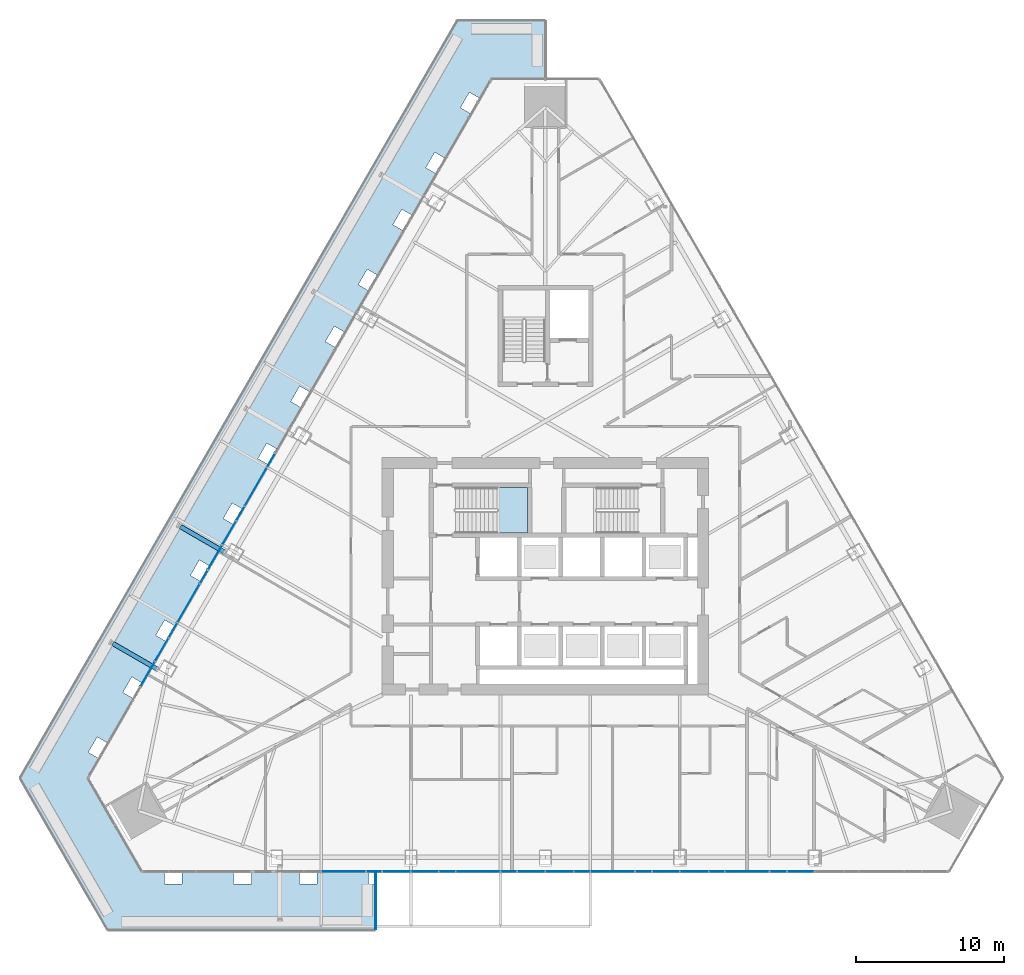
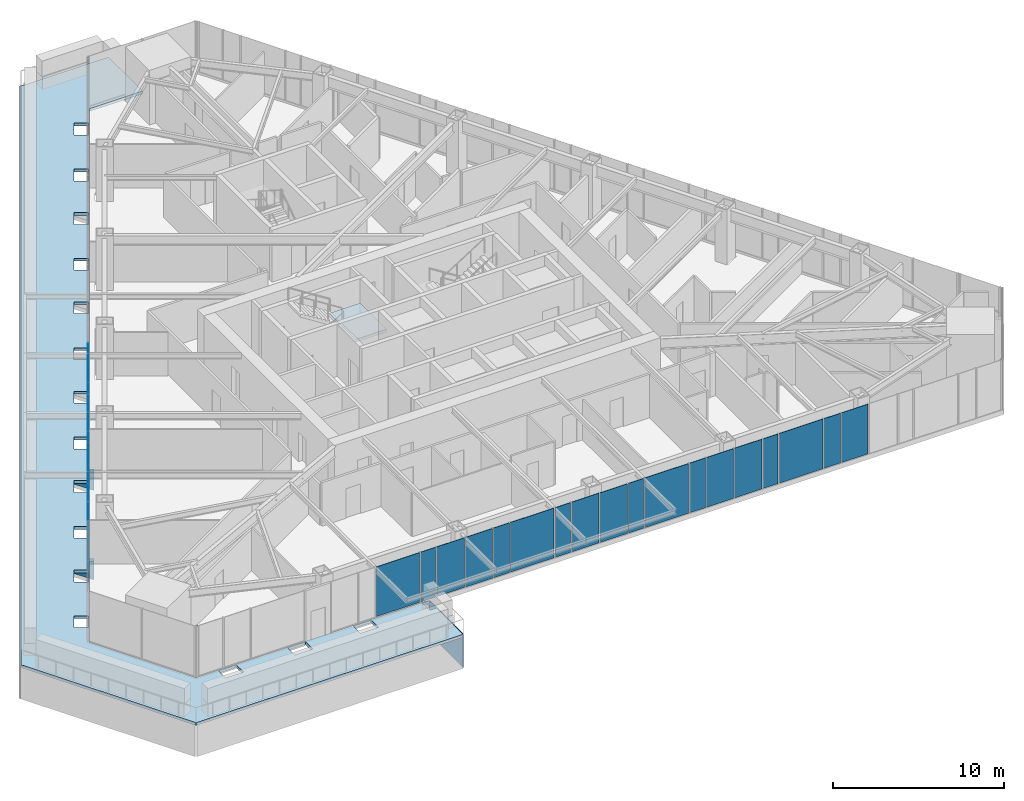
# One storey, part 17 of 35: 31 plates, 2 slabs, 3 elements without a shape of their own.
"""IFC4 building model written with IfcOpenShell, lengths in metres."""

from ifc_helpers import new_model, si_unit, direction, frame, origin, place, context, subcontext, project, spatial, polyline, outline, extrude, material, layer, layer_set, type_object, element, aggregate, save


model = new_model("IFC4")

# Units and contexts
model_context = context("Model", 3, precision=1e-05, world=origin(), true_north=direction((0.0, 1.0)))
body_context = subcontext(model_context, "Body", "Model", "MODEL_VIEW")
ifc_project = project(units=[si_unit("LENGTHUNIT", "METRE"), si_unit("AREAUNIT", "SQUARE_METRE"), si_unit("VOLUMEUNIT", "CUBIC_METRE"), si_unit("PLANEANGLEUNIT", "RADIAN"), si_unit("MASSUNIT", "GRAM", prefix="KILO")], contexts=[model_context])

# Site, building, storey
site_placement = place(None, origin())
site = spatial("IfcSite", under=ifc_project, at=site_placement, CompositionType="ELEMENT")
building_placement = place(site_placement, origin())
building = spatial("IfcBuilding", under=site, at=building_placement, Name="Firuza Gate Tower and Library", CompositionType="ELEMENT")
storey_placement = place(building_placement, frame((0.0, 0.0, 159.699951171875)))
storey = spatial("IfcBuildingStorey", under=building, at=storey_placement, Name="L36", CompositionType="ELEMENT", Elevation=159.699951171875)

# Curtain wall, plates
ifc_material_1 = material(Name="Aluminium 6063-T6", Category="aluminium")
ifc_layer_1 = layer(ifc_material_1, 0.14990234375)
ifc_layer_set_1 = layer_set([ifc_layer_1], Name="Unitised curtain wall, hotel")
curtain_wall_type = type_object("IfcCurtainWallType", Name="Unitised curtain wall, hotel", PredefinedType="NOTDEFINED", material=ifc_layer_set_1)
placement = place(storey_placement, origin())
curtain_wall_1 = element("IfcCurtainWall", 1, at=placement, inside=storey, type_object=curtain_wall_type, Name="CW2 L36 S face", PredefinedType="NOTDEFINED")
ifc_material_2 = material(Name="Fritted glass", Category="glass")
ifc_layer_2 = layer(ifc_material_2, 0.030029296875)
ifc_layer_set_2 = layer_set([ifc_layer_2], Name="Fritted glass unit, hotel")
plate_type_1 = type_object("IfcPlateType", Name="Fritted glass unit, hotel", PredefinedType="CURTAIN_PANEL", material=ifc_layer_set_2)
plate_1_placement = place(storey_placement, frame((64.027587890625, 55.071044921875, 0.150146484375), z_axis=(0.0, -1.0, 0.0), x_axis=(1.0, 0.0, 0.0)))
plate_1 = element("IfcPlate", 2, at=plate_1_placement, type_object=plate_type_1, Name="Glass unit", PredefinedType="CURTAIN_PANEL", context=body_context, shape_type="SweptSolid", body=[
    extrude(outline(polyline([(0.0, 0.0), (1.864013671875, 0.0), (1.864013671875, 3.5498046875), (0.0, 3.5498046875), (0.0, 0.0)])), origin(), (0.0, 0.0, -1.0), 0.030029296875),
])
plate_2_placement = place(storey_placement, frame((65.9716796875, 55.071044921875, 0.150146484375), z_axis=(0.0, -1.0, 0.0), x_axis=(1.0, 0.0, 0.0)))
plate_2 = element("IfcPlate", 3, at=plate_2_placement, type_object=plate_type_1, Name="Glass unit", PredefinedType="CURTAIN_PANEL", context=body_context, shape_type="SweptSolid", body=[
    extrude(outline(polyline([(0.0, 0.0), (1.800537109375, 0.0), (1.800537109375, 3.5498046875), (0.0, 3.5498046875), (0.0, 0.0)])), origin(), (0.0, 0.0, -1.0), 0.030029296875),
])
plate_3_placement = place(storey_placement, frame((73.127685546875, 55.071044921875, 0.150146484375), z_axis=(0.0, -1.0, 0.0), x_axis=(1.0, 0.0, 0.0)))
plate_3 = element("IfcPlate", 4, at=plate_3_placement, type_object=plate_type_1, Name="Glass unit", PredefinedType="CURTAIN_PANEL", context=body_context, shape_type="SweptSolid", body=[
    extrude(outline(polyline([(0.0, 0.0), (1.832275390625, 0.0), (1.832275390625, 3.5498046875), (0.0, 3.5498046875), (0.0, 0.0)])), origin(), (0.0, 0.0, -1.0), 0.030029296875),
])
plate_4_placement = place(storey_placement, frame((75.0400390625, 55.071044921875, 0.150146484375), z_axis=(0.0, -1.0, 0.0), x_axis=(1.0, 0.0, 0.0)))
plate_4 = element("IfcPlate", 5, at=plate_4_placement, type_object=plate_type_1, Name="Glass unit", PredefinedType="CURTAIN_PANEL", context=body_context, shape_type="SweptSolid", body=[
    extrude(outline(polyline([(0.0, 0.0), (1.832275390625, 0.0), (1.832275390625, 3.5498046875), (0.0, 3.5498046875), (0.0, 0.0)])), origin(), (0.0, 0.0, -1.0), 0.030029296875),
])
plate_5_placement = place(storey_placement, frame((82.227783203125, 55.071044921875, 0.150146484375), z_axis=(0.0, -1.0, 0.0), x_axis=(1.0, 0.0, 0.0)))
plate_5 = element("IfcPlate", 6, at=plate_5_placement, type_object=plate_type_1, Name="Glass unit", PredefinedType="CURTAIN_PANEL", context=body_context, shape_type="SweptSolid", body=[
    extrude(outline(polyline([(0.0, 0.0), (1.800537109375, 0.0), (1.800537109375, 3.5498046875), (0.0, 3.5498046875), (0.0, 0.0)])), origin(), (0.0, 0.0, -1.0), 0.030029296875),
])
plate_6_placement = place(storey_placement, frame((84.1083984375, 55.071044921875, 0.150146484375), z_axis=(0.0, -1.0, 0.0), x_axis=(1.0, 0.0, 0.0)))
plate_6 = element("IfcPlate", 7, at=plate_6_placement, type_object=plate_type_1, Name="Glass unit", PredefinedType="CURTAIN_PANEL", context=body_context, shape_type="SweptSolid", body=[
    extrude(outline(polyline([(0.0, 0.0), (1.864013671875, 0.0), (1.864013671875, 3.5498046875), (0.0, 3.5498046875), (0.0, 0.0)])), origin(), (0.0, 0.0, -1.0), 0.030029296875),
])
plate_7_placement = place(storey_placement, frame((91.32763671875, 55.071044921875, 0.150146484375), z_axis=(0.0, -1.0, 0.0), x_axis=(1.0, 0.0, 0.0)))
plate_7 = element("IfcPlate", 8, at=plate_7_placement, type_object=plate_type_1, Name="Glass unit", PredefinedType="CURTAIN_PANEL", context=body_context, shape_type="SweptSolid", body=[
    extrude(outline(polyline([(0.0, 0.0), (1.769287109375, 0.0), (1.769287109375, 3.5498046875), (0.0, 3.5498046875), (0.0, 0.0)])), origin(), (0.0, 0.0, -1.0), 0.030029296875),
])

curtain_wall_2 = element("IfcCurtainWall", 9, at=placement, inside=storey, type_object=curtain_wall_type, Name="CW2 L36 W face", PredefinedType="NOTDEFINED")
plate_8_placement = place(storey_placement, frame((54.127197265625, 78.705078125, 0.150146484375), z_axis=(-0.866032067792, 0.499988457423, 0.0), x_axis=(-0.499988457423, -0.866032067792, 0.0)))
plate_8 = element("IfcPlate", 10, at=plate_8_placement, type_object=plate_type_1, Name="Glass unit", PredefinedType="CURTAIN_PANEL", context=body_context, shape_type="SweptSolid", body=[
    extrude(outline(polyline([(0.0, 0.0), (1.800822822272985, 0.0), (1.800822822272985, 3.5498046875), (0.0, 3.5498046875), (0.0, 0.0)])), origin(), (0.0, 0.0, -1.0), 0.030029296875),
])
plate_9_placement = place(storey_placement, frame((53.186767578125, 77.076416015625, 0.150146484375), z_axis=(-0.866050356912, 0.499956777425, 0.0), x_axis=(-0.499956777425, -0.866050356912, 0.0)))
plate_9 = element("IfcPlate", 11, at=plate_9_placement, type_object=plate_type_1, Name="Glass unit", PredefinedType="CURTAIN_PANEL", context=body_context, shape_type="SweptSolid", body=[
    extrude(outline(polyline([(0.0, 0.0), (1.8639306590163827, 0.0), (1.8639306590163827, 3.5498046875), (0.0, 3.5498046875), (0.0, 0.0)])), origin(), (0.0, 0.0, -1.0), 0.030029296875),
])
plate_10_placement = place(storey_placement, frame((49.5771484375, 70.82421875, 0.150146484375), z_axis=(-0.866017810474, 0.500013151769, 0.0), x_axis=(-0.500013151769, -0.866017810474, 0.0)))
plate_10 = element("IfcPlate", 12, at=plate_10_placement, type_object=plate_type_1, Name="Glass unit", PredefinedType="CURTAIN_PANEL", context=body_context, shape_type="SweptSolid", body=[
    extrude(outline(polyline([(0.0, 0.0), (1.7689964378864484, 0.0), (1.7689964378864484, 3.5498046875), (0.0, 3.5498046875), (0.0, 0.0)])), origin(), (0.0, 0.0, -1.0), 0.030029296875),
])
plate_11_placement = place(storey_placement, frame((48.652587890625, 69.222900390625, 0.150146484375), z_axis=(-0.866031159827, 0.499990030109, 0.0), x_axis=(-0.499990030109, -0.866031159827, 0.0)))
plate_11 = element("IfcPlate", 13, at=plate_11_placement, type_object=plate_type_1, Name="Glass unit", PredefinedType="CURTAIN_PANEL", context=body_context, shape_type="SweptSolid", body=[
    extrude(outline(polyline([(0.0, 0.0), (1.8955456092678369, 0.0), (1.8955456092678369, 3.549804687500001), (0.0, 3.549804687500001), (0.0, 0.0)])), origin(), (0.0, 0.0, -1.0), 0.030029296875),
])

# Plate
ifc_material_3 = material(Name="Glazed ceramic tile")
ifc_layer_3 = layer(ifc_material_3, 0.030029296875)
ifc_layer_set_3 = layer_set([ifc_layer_3], Name="Opaque ceramic panel, hotel")
plate_type_2 = type_object("IfcPlateType", Name="Opaque ceramic panel, hotel", PredefinedType="CURTAIN_PANEL", material=ifc_layer_set_3)
plate_12_placement = place(storey_placement, frame((59.926025390625, 55.071044921875, 0.150146484375), z_axis=(0.0, -1.0, 0.0), x_axis=(1.0, 0.0, 0.0)))
plate_12 = element("IfcPlate", 14, at=plate_12_placement, type_object=plate_type_2, Name="Opaque ceramic panel", PredefinedType="CURTAIN_PANEL", context=body_context, shape_type="SweptSolid", body=[
    extrude(outline(polyline([(0.0, 0.0), (2.94287109375, 0.0), (2.94287109375, 3.5498046875), (0.0, 3.5498046875), (0.0, 0.0)])), origin(), (0.0, 0.0, -1.0), 0.030029296875),
])

plate_13_placement = place(storey_placement, frame((62.94873046875, 55.071044921875, 0.150146484375), z_axis=(0.0, -1.0, 0.0), x_axis=(1.0, 0.0, 0.0)))
plate_13 = element("IfcPlate", 15, at=plate_13_placement, type_object=plate_type_2, Name="Opaque ceramic panel", PredefinedType="CURTAIN_PANEL", context=body_context, shape_type="SweptSolid", body=[
    extrude(outline(polyline([(0.0, 0.0), (0.9990234375, 0.0), (0.9990234375, 3.5498046875), (0.0, 3.5498046875), (0.0, 0.0)])), origin(), (0.0, 0.0, -1.0), 0.030029296875),
])

plate_14_placement = place(storey_placement, frame((67.852294921875, 55.071044921875, 0.150146484375), z_axis=(0.0, -1.0, 0.0), x_axis=(1.0, 0.0, 0.0)))
plate_14 = element("IfcPlate", 16, at=plate_14_placement, type_object=plate_type_2, Name="Opaque ceramic panel", PredefinedType="CURTAIN_PANEL", context=body_context, shape_type="SweptSolid", body=[
    extrude(outline(polyline([(0.0, 0.0), (1.06201171875, 0.0), (1.06201171875, 3.5498046875), (0.0, 3.5498046875), (0.0, 0.0)])), origin(), (0.0, 0.0, -1.0), 0.030029296875),
])

plate_15_placement = place(storey_placement, frame((68.994384765625, 55.071044921875, 0.150146484375), z_axis=(0.0, -1.0, 0.0), x_axis=(1.0, 0.0, 0.0)))
plate_15 = element("IfcPlate", 17, at=plate_15_placement, type_object=plate_type_2, Name="Opaque ceramic panel", PredefinedType="CURTAIN_PANEL", context=body_context, shape_type="SweptSolid", body=[
    extrude(outline(polyline([(0.0, 0.0), (2.94287109375, 0.0), (2.94287109375, 3.5498046875), (0.0, 3.5498046875), (0.0, 0.0)])), origin(), (0.0, 0.0, -1.0), 0.030029296875),
])

plate_16_placement = place(storey_placement, frame((72.01708984375, 55.071044921875, 0.150146484375), z_axis=(0.0, -1.0, 0.0), x_axis=(1.0, 0.0, 0.0)))
plate_16 = element("IfcPlate", 18, at=plate_16_placement, type_object=plate_type_2, Name="Opaque ceramic panel", PredefinedType="CURTAIN_PANEL", context=body_context, shape_type="SweptSolid", body=[
    extrude(outline(polyline([(0.0, 0.0), (1.030517578125, 0.0), (1.030517578125, 3.5498046875), (0.0, 3.5498046875), (0.0, 0.0)])), origin(), (0.0, 0.0, -1.0), 0.030029296875),
])

plate_17_placement = place(storey_placement, frame((76.952392578125, 55.071044921875, 0.150146484375), z_axis=(0.0, -1.0, 0.0), x_axis=(1.0, 0.0, 0.0)))
plate_17 = element("IfcPlate", 19, at=plate_17_placement, type_object=plate_type_2, Name="Opaque ceramic panel", PredefinedType="CURTAIN_PANEL", context=body_context, shape_type="SweptSolid", body=[
    extrude(outline(polyline([(0.0, 0.0), (1.030517578125, 0.0), (1.030517578125, 3.5498046875), (0.0, 3.5498046875), (0.0, 0.0)])), origin(), (0.0, 0.0, -1.0), 0.030029296875),
])

plate_18_placement = place(storey_placement, frame((78.062744140625, 55.071044921875, 0.150146484375), z_axis=(0.0, -1.0, 0.0), x_axis=(1.0, 0.0, 0.0)))
plate_18 = element("IfcPlate", 20, at=plate_18_placement, type_object=plate_type_2, Name="Opaque ceramic panel", PredefinedType="CURTAIN_PANEL", context=body_context, shape_type="SweptSolid", body=[
    extrude(outline(polyline([(0.0, 0.0), (2.94287109375, 0.0), (2.94287109375, 3.5498046875), (0.0, 3.5498046875), (0.0, 0.0)])), origin(), (0.0, 0.0, -1.0), 0.030029296875),
])

plate_19_placement = place(storey_placement, frame((81.085693359375, 55.071044921875, 0.150146484375), z_axis=(0.0, -1.0, 0.0), x_axis=(1.0, 0.0, 0.0)))
plate_19 = element("IfcPlate", 21, at=plate_19_placement, type_object=plate_type_2, Name="Opaque ceramic panel", PredefinedType="CURTAIN_PANEL", context=body_context, shape_type="SweptSolid", body=[
    extrude(outline(polyline([(0.0, 0.0), (1.06201171875, 0.0), (1.06201171875, 3.5498046875), (0.0, 3.5498046875), (0.0, 0.0)])), origin(), (0.0, 0.0, -1.0), 0.030029296875),
])

plate_20_placement = place(storey_placement, frame((86.05224609375, 55.071044921875, 0.150146484375), z_axis=(0.0, -1.0, 0.0), x_axis=(1.0, 0.0, 0.0)))
plate_20 = element("IfcPlate", 22, at=plate_20_placement, type_object=plate_type_2, Name="Opaque ceramic panel", PredefinedType="CURTAIN_PANEL", context=body_context, shape_type="SweptSolid", body=[
    extrude(outline(polyline([(0.0, 0.0), (0.9990234375, 0.0), (0.9990234375, 3.5498046875), (0.0, 3.5498046875), (0.0, 0.0)])), origin(), (0.0, 0.0, -1.0), 0.030029296875),
])

plate_21_placement = place(storey_placement, frame((87.131103515625, 55.071044921875, 0.150146484375), z_axis=(0.0, -1.0, 0.0), x_axis=(1.0, 0.0, 0.0)))
plate_21 = element("IfcPlate", 23, at=plate_21_placement, type_object=plate_type_2, Name="Opaque ceramic panel", PredefinedType="CURTAIN_PANEL", context=body_context, shape_type="SweptSolid", body=[
    extrude(outline(polyline([(0.0, 0.0), (2.94287109375, 0.0), (2.94287109375, 3.5498046875), (0.0, 3.5498046875), (0.0, 0.0)])), origin(), (0.0, 0.0, -1.0), 0.030029296875),
])

plate_22_placement = place(storey_placement, frame((90.154052734375, 55.071044921875, 0.150146484375), z_axis=(0.0, -1.0, 0.0), x_axis=(1.0, 0.0, 0.0)))
plate_22 = element("IfcPlate", 24, at=plate_22_placement, type_object=plate_type_2, Name="Opaque ceramic panel", PredefinedType="CURTAIN_PANEL", context=body_context, shape_type="SweptSolid", body=[
    extrude(outline(polyline([(0.0, 0.0), (1.09375, 0.0), (1.09375, 3.5498046875), (0.0, 3.5498046875), (0.0, 0.0)])), origin(), (0.0, 0.0, -1.0), 0.030029296875),
])

aggregate(curtain_wall_1, [plate_12, plate_13, plate_1, plate_2, plate_14, plate_15, plate_16, plate_3, plate_4, plate_17, plate_18, plate_19, plate_5, plate_6, plate_20, plate_21, plate_22, plate_7])

plate_23_placement = place(storey_placement, frame((56.764892578125, 83.273681640625, 0.150146484375), z_axis=(-0.866047486323, 0.49996174997, 0.0), x_axis=(-0.49996174997, -0.866047486323, 0.0)))
plate_23 = element("IfcPlate", 25, at=plate_23_placement, type_object=plate_type_2, Name="Opaque ceramic panel", PredefinedType="CURTAIN_PANEL", context=body_context, shape_type="SweptSolid", body=[
    extrude(outline(polyline([(0.0, 0.0), (1.0303522595088923, 0.0), (1.0303522595088923, 3.5498046875), (0.0, 3.5498046875), (0.0, 0.0)])), origin(), (0.0, 0.0, -1.0), 0.030029296875),
])

plate_24_placement = place(storey_placement, frame((56.209716796875, 82.31201171875, 0.150146484375), z_axis=(-0.866023947468, 0.500002522405, 0.0), x_axis=(-0.500002522405, -0.866023947468, 0.0)))
plate_24 = element("IfcPlate", 26, at=plate_24_placement, type_object=plate_type_2, Name="Opaque ceramic panel", PredefinedType="CURTAIN_PANEL", context=body_context, shape_type="SweptSolid", body=[
    extrude(outline(polyline([(0.0, 0.0), (2.942856247596896, 0.0), (2.942856247596896, 3.5498046875), (0.0, 3.5498046875), (0.0, 0.0)])), origin(), (0.0, 0.0, -1.0), 0.030029296875),
])

plate_25_placement = place(storey_placement, frame((54.6982421875, 79.694091796875, 0.150146484375), z_axis=(-0.866013304951, 0.500020955208, 0.0), x_axis=(-0.500020955208, -0.866013304951, 0.0)))
plate_25 = element("IfcPlate", 27, at=plate_25_placement, type_object=plate_type_2, Name="Opaque ceramic panel", PredefinedType="CURTAIN_PANEL", context=body_context, shape_type="SweptSolid", body=[
    extrude(outline(polyline([(0.0, 0.0), (1.0619672112620595, 0.0), (1.0619672112620595, 3.5498046875), (0.0, 3.5498046875), (0.0, 0.0)])), origin(), (0.0, 0.0, -1.0), 0.030029296875),
])

plate_26_placement = place(storey_placement, frame((52.21484375, 75.392822265625, 0.150146484375), z_axis=(-0.866083827272, 0.499898793895, 0.0), x_axis=(-0.499898793895, -0.866083827272, 0.0)))
plate_26 = element("IfcPlate", 28, at=plate_26_placement, type_object=plate_type_2, Name="Opaque ceramic panel", PredefinedType="CURTAIN_PANEL", context=body_context, shape_type="SweptSolid", body=[
    extrude(outline(polyline([(0.0, 0.0), (0.9987373128760737, 0.0), (0.9987373128760737, 3.549804687500001), (0.0, 3.549804687500001), (0.0, 0.0)])), origin(), (0.0, 0.0, -1.0), 0.030029296875),
])

plate_27_placement = place(storey_placement, frame((51.675537109375, 74.45849609375, 0.150146484375), z_axis=(-0.866023947468, 0.500002522405, 0.0), x_axis=(-0.500002522405, -0.866023947468, 0.0)))
plate_27 = element("IfcPlate", 29, at=plate_27_placement, type_object=plate_type_2, Name="Opaque ceramic panel", PredefinedType="CURTAIN_PANEL", context=body_context, shape_type="SweptSolid", body=[
    extrude(outline(polyline([(0.0, 0.0), (2.942856247596896, 0.0), (2.942856247596896, 3.5498046875), (0.0, 3.5498046875), (0.0, 0.0)])), origin(), (0.0, 0.0, -1.0), 0.030029296875),
])

plate_28_placement = place(storey_placement, frame((50.1640625, 71.840576171875, 0.150146484375), z_axis=(-0.865981096212, 0.500076735116, 0.0), x_axis=(-0.500076735116, -0.865981096212, 0.0)))
plate_28 = element("IfcPlate", 30, at=plate_28_placement, type_object=plate_type_2, Name="Opaque ceramic panel", PredefinedType="CURTAIN_PANEL", context=body_context, shape_type="SweptSolid", body=[
    extrude(outline(polyline([(0.0, 0.0), (1.0935821676914947, 0.0), (1.0935821676914947, 3.5498046875), (0.0, 3.5498046875), (0.0, 0.0)])), origin(), (0.0, 0.0, -1.0), 0.030029296875),
])

aggregate(curtain_wall_2, [plate_23, plate_24, plate_25, plate_8, plate_9, plate_26, plate_27, plate_28, plate_10, plate_11])

# Slab
ifc_material_4 = material(Name="Concrete C40/50", Category="concrete")
ifc_layer_4 = layer(ifc_material_4, 0.199951171875)
ifc_layer_set_4 = layer_set([ifc_layer_4], Name="Planter tray slab 200 C40/50")
slab_type_1 = type_object("IfcSlabType", Name="Planter tray slab 200 C40/50", PredefinedType="FLOOR", material=ifc_layer_set_4)
slab_1_placement = place(storey_placement, frame((0.0, 0.0, -0.199951171875)))
element("IfcSlab", 31, at=slab_1_placement, inside=storey, type_object=slab_type_1, Name="Planter tray L36 band 4", PredefinedType="FLOOR", context=body_context, shape_type="SweptSolid", body=[
    extrude(outline(polyline([(63.546142578125, 51.1611328125), (63.546142578125, 54.25634765625), (63.083251953125, 54.25634765625), (63.083251953125, 55.1064453125), (63.546142578125, 55.1064453125), (63.546142578125, 55.1611328125), (47.838134765625, 55.1611328125), (44.238037109375, 61.396484375), (71.39990234375, 108.4423828125), (75.0, 108.4423828125), (75.0, 112.4423828125), (69.090576171875, 112.4423828125), (39.619384765625, 61.396484375), (45.528564453125, 51.1611328125), (63.546142578125, 51.1611328125)]), holes=[polyline([(58.416748046875, 54.25634765625), (58.416748046875, 55.1064453125), (59.61669921875, 55.1064453125), (59.61669921875, 54.25634765625), (58.416748046875, 54.25634765625)]), polyline([(53.9833984375, 54.25634765625), (53.9833984375, 55.1064453125), (55.183349609375, 55.1064453125), (55.183349609375, 54.25634765625), (53.9833984375, 54.25634765625)]), polyline([(49.316650390625, 54.25634765625), (49.316650390625, 55.1064453125), (50.5166015625, 55.1064453125), (50.5166015625, 54.25634765625), (49.316650390625, 54.25634765625)]), polyline([(44.7939453125, 64.168701171875), (45.530029296875, 63.74365234375), (44.929931640625, 62.704345703125), (44.19384765625, 63.12939453125), (44.7939453125, 64.168701171875)]), polyline([(47.86328125, 67.78515625), (47.263427734375, 66.745849609375), (46.527099609375, 67.1708984375), (47.127197265625, 68.2099609375), (47.86328125, 67.78515625)]), polyline([(50.080078125, 71.62451171875), (49.47998046875, 70.585205078125), (48.743896484375, 71.01025390625), (49.34375, 72.04931640625), (50.080078125, 71.62451171875)]), polyline([(51.67724609375, 76.0908203125), (52.413330078125, 75.665771484375), (51.813232421875, 74.626708984375), (51.0771484375, 75.0517578125), (51.67724609375, 76.0908203125)]), polyline([(53.893798828125, 79.93017578125), (54.6298828125, 79.50537109375), (54.030029296875, 78.466064453125), (53.2939453125, 78.89111328125), (53.893798828125, 79.93017578125)]), polyline([(56.227294921875, 83.9716796875), (56.96337890625, 83.546630859375), (56.36328125, 82.507568359375), (55.627197265625, 82.932373046875), (56.227294921875, 83.9716796875)]), polyline([(58.44384765625, 87.81103515625), (59.179931640625, 87.385986328125), (58.580078125, 86.346923828125), (57.84375, 86.77197265625), (58.44384765625, 87.81103515625)]), polyline([(60.777099609375, 91.8525390625), (61.513427734375, 91.427490234375), (60.913330078125, 90.388427734375), (60.17724609375, 90.813232421875), (60.777099609375, 91.8525390625)]), polyline([(62.993896484375, 95.69189453125), (63.72998046875, 95.266845703125), (63.1298828125, 94.227783203125), (62.393798828125, 94.652587890625), (62.993896484375, 95.69189453125)]), polyline([(65.3271484375, 99.7333984375), (66.063232421875, 99.308349609375), (65.46337890625, 98.26904296875), (64.727294921875, 98.694091796875), (65.3271484375, 99.7333984375)]), polyline([(68.280029296875, 103.147705078125), (67.679931640625, 102.108642578125), (66.94384765625, 102.533447265625), (67.5439453125, 103.57275390625), (68.280029296875, 103.147705078125)]), polyline([(70.61328125, 107.189208984375), (70.013427734375, 106.14990234375), (69.277099609375, 106.574951171875), (69.877197265625, 107.6142578125), (70.61328125, 107.189208984375)])]), origin(), (0.0, 0.0, 1.0), 0.199951171875),
])

# Stair, slab
ifc_material_5 = material(Name="Concrete C35/45", Category="concrete")
stair_type = type_object("IfcStairType", Name="Exit stair ST7", PredefinedType="HALF_TURN_STAIR", material=ifc_material_5)
stair = element("IfcStair", 32, at=placement, inside=storey, type_object=stair_type, Name="L36 Stair ST1", PredefinedType="HALF_TURN_STAIR")
ifc_material_6 = material(Name="Concrete C35/45", Category="concrete")
ifc_layer_5 = layer(ifc_material_6, 0.199951171875)
ifc_layer_set_5 = layer_set([ifc_layer_5], Name="Stair landing 200")
slab_type_2 = type_object("IfcSlabType", Name="Stair landing 200", PredefinedType="LANDING", material=ifc_layer_set_5)
slab_2_placement = place(storey_placement, frame((0.0, 0.0, 1.75)))
slab_2 = element("IfcSlab", 33, at=slab_2_placement, type_object=slab_type_2, Name="ST1 landing 1", PredefinedType="LANDING", context=body_context, shape_type="SweptSolid", body=[
    extrude(outline(polyline([(71.739990234375, 77.89990234375), (73.81005859375, 77.89990234375), (73.81005859375, 80.97998046875), (71.739990234375, 80.97998046875), (71.739990234375, 77.89990234375)])), origin(), (0.0, 0.0, 1.0), 0.199951171875),
])
aggregate(stair, [slab_2])

# Plates
ifc_material_7 = material(Name="Steel S355", Category="steel")
ifc_layer_6 = layer(ifc_material_7, 0.300048828125)
ifc_layer_set_6 = layer_set([ifc_layer_6], Name="Tray bracket web 300 Steel S355")
plate_type_3 = type_object("IfcPlateType", Name="Tray bracket web 300 Steel S355", PredefinedType="SHEET", material=ifc_layer_set_6)
plate_29_placement = place(storey_placement, frame((53.291015625, 76.506103515625, -0.199951171875), z_axis=(-0.500028509433, -0.86600894323, 0.0), x_axis=(-0.86600894323, 0.500028509433, 0.0)))
element("IfcPlate", 34, at=plate_29_placement, inside=storey, type_object=plate_type_3, Name="Tray bracket web L36 col:L35:W4", PredefinedType="SHEET", context=body_context, shape_type="SweptSolid", body=[
    extrude(outline(polyline([(0.0, 0.0), (3.4294919542601163, 0.0), (0.0, 1.333984375), (0.0, 0.0)])), origin(), (0.0, 0.0, -1.0), 0.300048828125),
])
plate_30_placement = place(storey_placement, frame((48.740966796875, 68.625, -0.199951171875), z_axis=(-0.500081895979, -0.865978115955, 0.0), x_axis=(-0.865978115955, 0.500081895979, 0.0)))
element("IfcPlate", 35, at=plate_30_placement, inside=storey, type_object=plate_type_3, Name="Tray bracket web L36 col:L35:W5", PredefinedType="SHEET", context=body_context, shape_type="SweptSolid", body=[
    extrude(outline(polyline([(0.0, 0.0), (3.429614038049955, 0.0), (0.0, 1.333984375), (0.0, 0.0)])), origin(), (0.0, 0.0, -1.0), 0.300048828125),
])
ifc_material_8 = material(Name="Aluminium 6063-T6", Category="aluminium")
ifc_layer_7 = layer(ifc_material_8, 0.050048828125)
ifc_layer_set_7 = layer_set([ifc_layer_7], Name="Tray fascia panel 50")
plate_type_4 = type_object("IfcPlateType", Name="Tray fascia panel 50", PredefinedType="SHEET", material=ifc_layer_set_7)
plate_31_placement = place(storey_placement, frame((63.595947265625, 51.19091796875, -2.39990234375), z_axis=(1.0, 0.0, 0.0), x_axis=(0.0, 1.0, 0.0)))
element("IfcPlate", 36, at=plate_31_placement, inside=storey, type_object=plate_type_4, Name="Tray fascia L36 5", PredefinedType="SHEET", context=body_context, shape_type="SweptSolid", body=[
    extrude(outline(polyline([(0.0, 0.0), (3.940185546875, 0.0), (3.940185546875, 2.39990234375), (0.0, 2.39990234375), (0.0, 0.0)])), origin(), (0.0, 0.0, -1.0), 0.050048828125),
])

save(model, "model.ifc")
